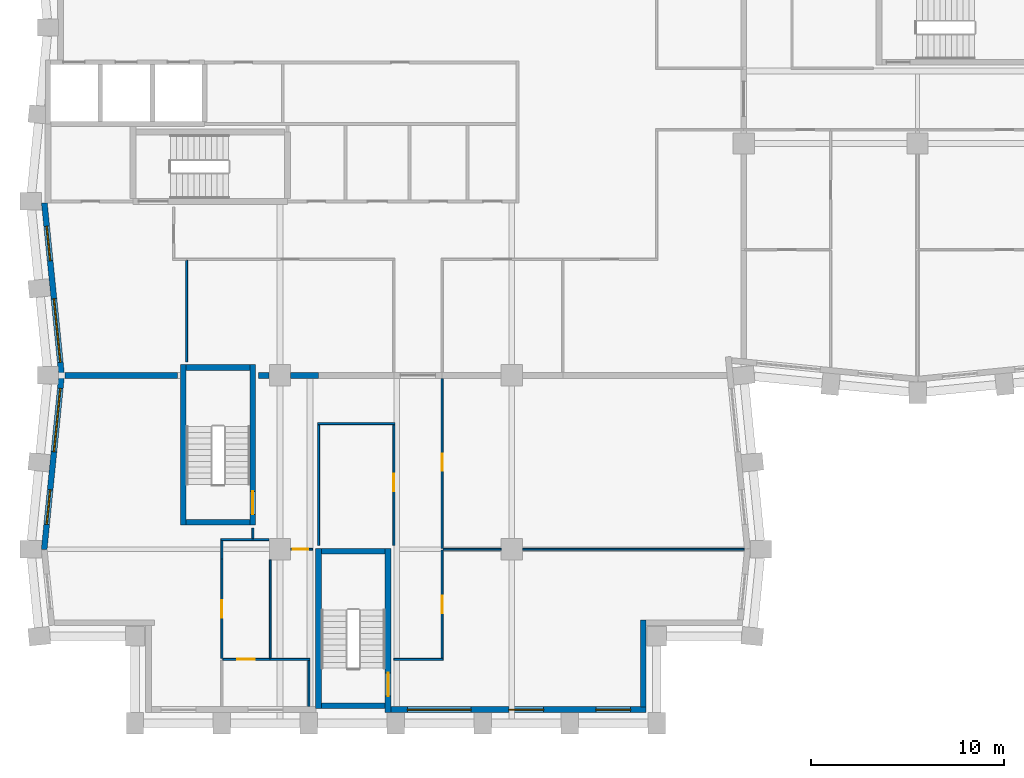
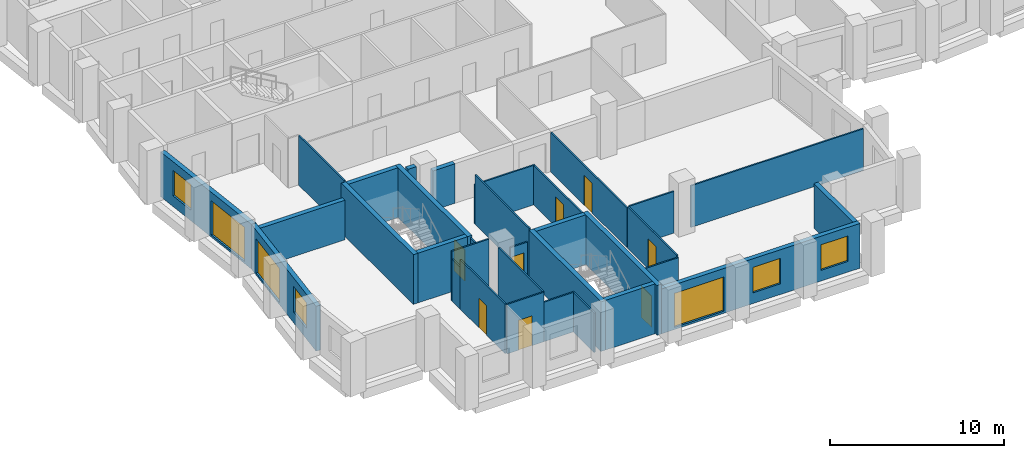
# One storey, part 3 of 10: 33 walls, 8 doors, 7 windows, 15 openings.
"""IFC4 building model written with IfcOpenShell, lengths in metres."""

from ifc_helpers import new_model, si_unit, direction, frame, frame_2d, origin, place, context, subcontext, project, spatial, rectangle, extrude, material, layer, layer_set, type_object, element, fill, save


model = new_model("IFC4")

# Units and contexts
model_context = context("Model", 3, precision=1e-05, world=origin(), true_north=direction((0.0, 1.0)))
body_context = subcontext(model_context, "Body", "Model", "MODEL_VIEW")
ifc_project = project(units=[si_unit("LENGTHUNIT", "METRE"), si_unit("AREAUNIT", "SQUARE_METRE"), si_unit("VOLUMEUNIT", "CUBIC_METRE"), si_unit("PLANEANGLEUNIT", "RADIAN"), si_unit("MASSUNIT", "GRAM", prefix="KILO")], contexts=[model_context])

# Site, building, storey
site_placement = place(None, origin())
site = spatial("IfcSite", under=ifc_project, at=site_placement, CompositionType="ELEMENT")
building_placement = place(site_placement, origin())
building = spatial("IfcBuilding", under=site, at=building_placement, Name="Brondeck Convention Tower", CompositionType="ELEMENT")
storey_placement = place(building_placement, frame((0.0, 0.0, 166.199951171875)))
storey = spatial("IfcBuildingStorey", under=building, at=storey_placement, Name="L40", CompositionType="ELEMENT", Elevation=166.199951171875)

# Walls
ifc_material_1 = material(Name="Concrete compartment wall C30/37", Category="concrete")
ifc_layer_1 = layer(ifc_material_1, 0.300048828125)
ifc_layer_set_1 = layer_set([ifc_layer_1], Name="Compartment wall 300")
wall_type_1 = type_object("IfcWallType", Name="Compartment wall 300", PredefinedType="PARTITIONING", material=ifc_layer_set_1)
wall_1_placement = place(storey_placement, frame((0.8740234375, 27.0, 0.0), z_axis=(0.0, 0.0, 1.0), x_axis=(1.0, 0.0, 0.0)))
element("IfcWall", 1, at=wall_1_placement, inside=storey, type_object=wall_type_1, Name="FLR-L40-W020", PredefinedType="PARTITIONING", context=body_context, shape_type="SweptSolid", body=[
    extrude(rectangle(XDim=5.825927734375, YDim=0.300048828125, at=frame_2d((2.9130859375, 0.0))), origin(), (0.0, 0.0, 1.0), 2.780029296875),
])
wall_2_placement = place(storey_placement, frame((10.89990234375, 27.0, 0.0), z_axis=(0.0, 0.0, 1.0), x_axis=(1.0, 0.0, 0.0)))
element("IfcWall", 2, at=wall_2_placement, inside=storey, type_object=wall_type_1, Name="FLR-L40-W021", PredefinedType="PARTITIONING", context=body_context, shape_type="SweptSolid", body=[
    extrude(rectangle(XDim=0.545166015625, YDim=0.300048828125, at=frame_2d((0.2724609375, 0.0))), origin(), (0.0, 0.0, 1.0), 3.47998046875),
])
wall_3_placement = place(storey_placement, frame((12.554931640625, 27.0, 0.0), z_axis=(0.0, 0.0, 1.0), x_axis=(1.0, 0.0, 0.0)))
element("IfcWall", 3, at=wall_3_placement, inside=storey, type_object=wall_type_1, Name="FLR-L40-W022", PredefinedType="PARTITIONING", context=body_context, shape_type="SweptSolid", body=[
    extrude(rectangle(XDim=1.445068359375, YDim=0.300048828125, at=frame_2d((0.72265625, 0.0))), origin(), (0.0, 0.0, 1.0), 2.780029296875),
])

# Wall, openings, windows
ifc_material_2 = material(Name="Precast concrete C50/60 bronze finish", Category="concrete")
ifc_layer_2 = layer(ifc_material_2, 0.070068359375, Name="Bronze precast facing")
ifc_material_3 = material(Name="Mineral wool")
ifc_layer_3 = layer(ifc_material_3, 0.159912109375, Name="Insulation")
ifc_material_4 = material(Name="Concrete C35/45", Category="concrete")
ifc_layer_4 = layer(ifc_material_4, 0.070068359375, Name="Backing")
ifc_layer_set_2 = layer_set([ifc_layer_2, ifc_layer_3, ifc_layer_4], Name="External infill wall, precast concrete C50/60 bronze facing")
wall_type_2 = type_object("IfcWallType", Name="External infill wall, precast concrete C50/60 bronze facing", PredefinedType="SOLIDWALL", material=ifc_layer_set_2)
wall_4_placement = place(storey_placement, frame((30.949951171875, 9.699951171875, 0.0), z_axis=(0.0, 0.0, 1.0), x_axis=(-1.0, 0.0, 0.0)))
wall_4 = element("IfcWall", 4, at=wall_4_placement, inside=storey, type_object=wall_type_2, Name="ENV-EW-L40-P1-B-S9-04", PredefinedType="SOLIDWALL", context=body_context, shape_type="SweptSolid", body=[
    extrude(rectangle(XDim=13.199951171875, YDim=0.300048828125, at=frame_2d((6.60009765625, 0.0))), origin(), (0.0, 0.0, 1.0), 3.150146484375),
])
opening_1_placement = place(wall_4_placement, frame((0.800048828125, 0.0, 0.75)))
opening_1 = element("IfcOpeningElement", 5, at=opening_1_placement, cuts=wall_4, Name="Opening W10", PredefinedType="OPENING", context=body_context, shape_type="SweptSolid", body=[
    extrude(rectangle(XDim=1.800048828125, YDim=1.800048828125, at=frame_2d((0.89990234375, 0.89990234375))), frame((0.0, 0.159912109375, 0.0), z_axis=(0.0, -1.0, 0.0), x_axis=(1.0, 0.0, 0.0)), (0.0, 0.0, 1.0), 0.320068359375),
])
opening_2_placement = place(wall_4_placement, frame((5.300048828125, 0.0, 0.75)))
opening_2 = element("IfcOpeningElement", 6, at=opening_2_placement, cuts=wall_4, Name="Opening W10", PredefinedType="OPENING", context=body_context, shape_type="SweptSolid", body=[
    extrude(rectangle(XDim=1.800048828125, YDim=1.800048828125, at=frame_2d((0.89990234375, 0.89990234375))), frame((0.0, 0.159912109375, 0.0), z_axis=(0.0, -1.0, 0.0), x_axis=(1.0, 0.0, 0.0)), (0.0, 0.0, 1.0), 0.320068359375),
])
opening_3_placement = place(wall_4_placement, frame((9.050048828125, 0.0, 0.14990234375)))
opening_3 = element("IfcOpeningElement", 7, at=opening_3_placement, cuts=wall_4, Name="Opening W9", PredefinedType="OPENING", context=body_context, shape_type="SweptSolid", body=[
    extrude(rectangle(XDim=3.300048828125, YDim=2.39990234375, at=frame_2d((1.64990234375, 1.199951171875))), frame((0.0, 0.159912109375, 0.0), z_axis=(0.0, -1.0, 0.0), x_axis=(1.0, 0.0, 0.0)), (0.0, 0.0, 1.0), 0.320068359375),
])
ifc_material_5 = material(Name="Bronze tinted double glazing", Category="glass")
window_type_1 = type_object("IfcWindowType", Name="Glazed flute window, bronze tinted", PartitioningType="SINGLE_PANEL", PredefinedType="WINDOW", material=ifc_material_5)
window_1_placement = place(opening_3_placement, origin())
window_1 = element("IfcWindow", 8, at=window_1_placement, inside=storey, type_object=window_type_1, Name="ENV-WN-L40-P1-B-S9-04", OverallHeight=2.39990234375, OverallWidth=3.300048828125, PartitioningType="SINGLE_PANEL", PredefinedType="WINDOW", context=body_context, shape_type="SweptSolid", body=[
    extrude(rectangle(XDim=3.300048828125, YDim=2.39990234375, at=frame_2d((1.64990234375, 1.199951171875))), frame((0.0, 0.030029296875, 0.0), z_axis=(0.0, -1.0, 0.0), x_axis=(1.0, 0.0, 0.0)), (0.0, 0.0, 1.0), 0.06005859375),
])
fill(opening_3, window_1)
window_type_2 = type_object("IfcWindowType", Name="Punched window, bronze tinted", PartitioningType="SINGLE_PANEL", PredefinedType="WINDOW", material=ifc_material_5)
window_2_placement = place(opening_1_placement, origin())
window_2 = element("IfcWindow", 9, at=window_2_placement, inside=storey, type_object=window_type_2, Name="ENV-WN-L40-P1-B-S9-06", OverallHeight=1.800048828125, OverallWidth=1.800048828125, PartitioningType="SINGLE_PANEL", PredefinedType="WINDOW", context=body_context, shape_type="SweptSolid", body=[
    extrude(rectangle(XDim=1.800048828125, YDim=1.800048828125, at=frame_2d((0.89990234375, 0.89990234375))), frame((0.0, 0.030029296875, 0.0), z_axis=(0.0, -1.0, 0.0), x_axis=(1.0, 0.0, 0.0)), (0.0, 0.0, 1.0), 0.06005859375),
])
fill(opening_1, window_2)
window_3_placement = place(opening_2_placement, origin())
window_3 = element("IfcWindow", 10, at=window_3_placement, inside=storey, type_object=window_type_2, Name="ENV-WN-L40-P1-B-S9-05", OverallHeight=1.800048828125, OverallWidth=1.800048828125, PartitioningType="SINGLE_PANEL", PredefinedType="WINDOW", context=body_context, shape_type="SweptSolid", body=[
    extrude(rectangle(XDim=1.800048828125, YDim=1.800048828125, at=frame_2d((0.89990234375, 0.89990234375))), frame((0.0, 0.030029296875, 0.0), z_axis=(0.0, -1.0, 0.0), x_axis=(1.0, 0.0, 0.0)), (0.0, 0.0, 1.0), 0.06005859375),
])
fill(opening_2, window_3)

# Wall
wall_5_placement = place(storey_placement, frame((30.800048828125, 14.35009765625, 0.0), z_axis=(0.0, 0.0, 1.0), x_axis=(0.0, -1.0, 0.0)))
element("IfcWall", 11, at=wall_5_placement, inside=storey, type_object=wall_type_2, Name="ENV-EW-L40-P1-NC-SEB9-01", PredefinedType="SOLIDWALL", context=body_context, shape_type="SweptSolid", body=[
    extrude(rectangle(XDim=4.502197265625, YDim=0.300048828125, at=frame_2d((2.2509765625, 0.0))), origin(), (0.0, 0.0, 1.0), 3.150146484375),
])

# Wall, openings, windows
wall_6_placement = place(storey_placement, frame((0.705078125, 26.985107421875, 0.0), z_axis=(0.0, 0.0, 1.0), x_axis=(-0.099533329093, 0.995034228758, 0.0)))
wall_6 = element("IfcWall", 12, at=wall_6_placement, inside=storey, type_object=wall_type_2, Name="ENV-EW-L40-P1-B-W-06", PredefinedType="SOLIDWALL", context=body_context, shape_type="SweptSolid", body=[
    extrude(rectangle(XDim=8.97998046875, YDim=0.300048828125, at=frame_2d((4.489990234375, 0.0))), origin(), (0.0, 0.0, 1.0), 3.150146484375),
])
opening_4_placement = place(wall_6_placement, frame((0.6962890625, 0.0, 0.14990234375)))
opening_4 = element("IfcOpeningElement", 13, at=opening_4_placement, cuts=wall_6, Name="Opening W9", PredefinedType="OPENING", context=body_context, shape_type="SweptSolid", body=[
    extrude(rectangle(XDim=3.300048828125, YDim=2.39990234375, at=frame_2d((1.64990234375, 1.199951171875))), frame((0.0, 0.159912109375, 0.0), z_axis=(0.0, -1.0, 0.0), x_axis=(1.0, 0.0, 0.0)), (0.0, 0.0, 1.0), 0.320068359375),
])
opening_5_placement = place(wall_6_placement, frame((5.968505859375, 0.0, 0.75)))
opening_5 = element("IfcOpeningElement", 14, at=opening_5_placement, cuts=wall_6, Name="Opening W10", PredefinedType="OPENING", context=body_context, shape_type="SweptSolid", body=[
    extrude(rectangle(XDim=1.800048828125, YDim=1.800048828125, at=frame_2d((0.89990234375, 0.89990234375))), frame((0.0, 0.159912109375, 0.0), z_axis=(0.0, -1.0, 0.0), x_axis=(1.0, 0.0, 0.0)), (0.0, 0.0, 1.0), 0.320068359375),
])
window_4_placement = place(opening_4_placement, origin())
window_4 = element("IfcWindow", 15, at=window_4_placement, inside=storey, type_object=window_type_1, Name="ENV-WN-L40-P1-B-W-07", OverallHeight=2.39990234375, OverallWidth=3.300048828125, PartitioningType="SINGLE_PANEL", PredefinedType="WINDOW", context=body_context, shape_type="SweptSolid", body=[
    extrude(rectangle(XDim=3.300048828125, YDim=2.39990234375, at=frame_2d((1.64990234375, 1.199951171875))), frame((0.0, 0.030029296875, 0.0), z_axis=(0.0, -1.0, 0.0), x_axis=(1.0, 0.0, 0.0)), (0.0, 0.0, 1.0), 0.06005859375),
])
fill(opening_4, window_4)
window_5_placement = place(opening_5_placement, origin())
window_5 = element("IfcWindow", 16, at=window_5_placement, inside=storey, type_object=window_type_2, Name="ENV-WN-L40-P1-B-W-06", OverallHeight=1.800048828125, OverallWidth=1.800048828125, PartitioningType="SINGLE_PANEL", PredefinedType="WINDOW", context=body_context, shape_type="SweptSolid", body=[
    extrude(rectangle(XDim=1.800048828125, YDim=1.800048828125, at=frame_2d((0.89990234375, 0.89990234375))), frame((0.0, 0.030029296875, 0.0), z_axis=(0.0, -1.0, 0.0), x_axis=(1.0, 0.0, 0.0)), (0.0, 0.0, 1.0), 0.06005859375),
])
fill(opening_5, window_5)

wall_7_placement = place(storey_placement, frame((-0.197998046875, 17.985107421875, 0.0), z_axis=(0.0, 0.0, 1.0), x_axis=(0.099495688264, 0.995037993253, 0.0)))
wall_7 = element("IfcWall", 17, at=wall_7_placement, inside=storey, type_object=wall_type_2, Name="ENV-EW-L40-P1-B-W-08", PredefinedType="SOLIDWALL", context=body_context, shape_type="SweptSolid", body=[
    extrude(rectangle(XDim=9.030029296875, YDim=0.300048828125, at=frame_2d((4.51513671875, 0.0))), origin(), (0.0, 0.0, 1.0), 3.150146484375),
])
opening_6_placement = place(wall_7_placement, frame((1.30615234375, 0.0, 0.75)))
opening_6 = element("IfcOpeningElement", 18, at=opening_6_placement, cuts=wall_7, Name="Opening W10", PredefinedType="OPENING", context=body_context, shape_type="SweptSolid", body=[
    extrude(rectangle(XDim=1.800048828125, YDim=1.800048828125, at=frame_2d((0.89990234375, 0.89990234375))), frame((0.0, 0.159912109375, 0.0), z_axis=(0.0, -1.0, 0.0), x_axis=(1.0, 0.0, 0.0)), (0.0, 0.0, 1.0), 0.320068359375),
])
opening_7_placement = place(wall_7_placement, frame((5.07861328125, 0.0, 0.14990234375)))
opening_7 = element("IfcOpeningElement", 19, at=opening_7_placement, cuts=wall_7, Name="Opening W9", PredefinedType="OPENING", context=body_context, shape_type="SweptSolid", body=[
    extrude(rectangle(XDim=3.300048828125, YDim=2.39990234375, at=frame_2d((1.64990234375, 1.199951171875))), frame((0.0, 0.159912109375, 0.0), z_axis=(0.0, -1.0, 0.0), x_axis=(1.0, 0.0, 0.0)), (0.0, 0.0, 1.0), 0.320068359375),
])
window_6_placement = place(opening_7_placement, origin())
window_6 = element("IfcWindow", 20, at=window_6_placement, inside=storey, type_object=window_type_1, Name="ENV-WN-L40-P1-B-W-08", OverallHeight=2.39990234375, OverallWidth=3.300048828125, PartitioningType="SINGLE_PANEL", PredefinedType="WINDOW", context=body_context, shape_type="SweptSolid", body=[
    extrude(rectangle(XDim=3.300048828125, YDim=2.39990234375, at=frame_2d((1.64990234375, 1.199951171875))), frame((0.0, 0.030029296875, 0.0), z_axis=(0.0, -1.0, 0.0), x_axis=(1.0, 0.0, 0.0)), (0.0, 0.0, 1.0), 0.06005859375),
])
fill(opening_7, window_6)
window_7_placement = place(opening_6_placement, origin())
window_7 = element("IfcWindow", 21, at=window_7_placement, inside=storey, type_object=window_type_2, Name="ENV-WN-L40-P1-B-W-09", OverallHeight=1.800048828125, OverallWidth=1.800048828125, PartitioningType="SINGLE_PANEL", PredefinedType="WINDOW", context=body_context, shape_type="SweptSolid", body=[
    extrude(rectangle(XDim=1.800048828125, YDim=1.800048828125, at=frame_2d((0.89990234375, 0.89990234375))), frame((0.0, 0.030029296875, 0.0), z_axis=(0.0, -1.0, 0.0), x_axis=(1.0, 0.0, 0.0)), (0.0, 0.0, 1.0), 0.06005859375),
])
fill(opening_6, window_7)

# Wall
ifc_material_6 = material(Name="Gypsum board partition on steel studs", Category="steel")
ifc_layer_5 = layer(ifc_material_6, 0.10009765625)
ifc_layer_set_3 = layer_set([ifc_layer_5], Name="Room partition 100")
wall_type_3 = type_object("IfcWallType", Name="Room partition 100", PredefinedType="PARTITIONING", material=ifc_layer_set_3)
wall_8_placement = place(storey_placement, frame((13.5, 12.25, 0.0), z_axis=(0.0, 0.0, 1.0), x_axis=(0.0, -1.0, 0.0)))
element("IfcWall", 22, at=wall_8_placement, inside=storey, type_object=wall_type_3, Name="FLR-L40-W003", PredefinedType="PARTITIONING", context=body_context, shape_type="SweptSolid", body=[
    extrude(rectangle(XDim=2.3798828125, YDim=0.10009765625, at=frame_2d((1.18994140625, 0.0))), origin(), (0.0, 0.0, 1.0), 2.780029296875),
])

# Wall, opening, door
wall_9_placement = place(storey_placement, frame((11.5, 12.300048828125, 0.0), z_axis=(0.0, 0.0, 1.0), x_axis=(-1.0, 0.0, 0.0)))
wall_9 = element("IfcWall", 23, at=wall_9_placement, inside=storey, type_object=wall_type_3, Name="FLR-L40-W004", PredefinedType="PARTITIONING", context=body_context, shape_type="SweptSolid", body=[
    extrude(rectangle(XDim=2.449951171875, YDim=0.10009765625, at=frame_2d((1.22509765625, 0.0))), origin(), (0.0, 0.0, 1.0), 3.47998046875),
])
opening_8_placement = place(wall_9_placement, frame((0.800048828125, 0.0, 0.0)))
opening_8 = element("IfcOpeningElement", 24, at=opening_8_placement, cuts=wall_9, Name="Opening OF-H-001", PredefinedType="OPENING", context=body_context, shape_type="SweptSolid", body=[
    extrude(rectangle(XDim=0.89990234375, YDim=2.10009765625, at=frame_2d((0.449951171875, 1.050048828125))), frame((0.0, 0.06005859375, 0.0), z_axis=(0.0, -1.0, 0.0), x_axis=(1.0, 0.0, 0.0)), (0.0, 0.0, 1.0), 0.1201171875),
])
ifc_material_7 = material(Name="Solid timber door leaf", Category="wood")
door_type_1 = type_object("IfcDoorType", Name="Single door 900", OperationType="NOTDEFINED", PredefinedType="DOOR", material=ifc_material_7)
door_1_placement = place(opening_8_placement, origin())
door_1 = element("IfcDoor", 25, at=door_1_placement, inside=storey, type_object=door_type_1, Name="Door OF-H-001", OperationType="SINGLE_SWING_RIGHT", OverallHeight=2.10009765625, OverallWidth=0.89990234375, PredefinedType="DOOR", context=body_context, shape_type="SweptSolid", body=[
    extrude(rectangle(XDim=0.89990234375, YDim=2.10009765625, at=frame_2d((0.449951171875, 1.050048828125))), frame((0.0, 0.02490234375, 0.0), z_axis=(0.0, -1.0, 0.0), x_axis=(1.0, 0.0, 0.0)), (0.0, 0.0, 1.0), 0.050048828125),
])
fill(opening_8, door_1)

# Walls
wall_10_placement = place(storey_placement, frame((11.5, 12.300048828125, 0.0), z_axis=(0.0, 0.0, 1.0), x_axis=(1.0, 0.0, 0.0)))
element("IfcWall", 26, at=wall_10_placement, inside=storey, type_object=wall_type_3, Name="FLR-L40-W005", PredefinedType="PARTITIONING", context=body_context, shape_type="SweptSolid", body=[
    extrude(rectangle(XDim=2.050048828125, YDim=0.10009765625, at=frame_2d((1.02490234375, 0.0))), origin(), (0.0, 0.0, 1.0), 2.780029296875),
])
wall_11_placement = place(storey_placement, frame((20.449951171875, 12.300048828125, 0.0), z_axis=(0.0, 0.0, 1.0), x_axis=(-1.0, 0.0, 0.0)))
element("IfcWall", 27, at=wall_11_placement, inside=storey, type_object=wall_type_3, Name="FLR-L40-W006", PredefinedType="PARTITIONING", context=body_context, shape_type="SweptSolid", body=[
    extrude(rectangle(XDim=2.550048828125, YDim=0.10009765625, at=frame_2d((1.27490234375, 0.0))), origin(), (0.0, 0.0, 1.0), 2.780029296875),
])

# Wall, opening, door
wall_12_placement = place(storey_placement, frame((9.0, 12.35009765625, 0.0), z_axis=(0.0, 0.0, 1.0), x_axis=(0.0, 1.0, 0.0)))
wall_12 = element("IfcWall", 28, at=wall_12_placement, inside=storey, type_object=wall_type_3, Name="FLR-L40-W007", PredefinedType="PARTITIONING", context=body_context, shape_type="SweptSolid", body=[
    extrude(rectangle(XDim=5.14990234375, YDim=0.10009765625, at=frame_2d((2.574951171875, 0.0))), origin(), (0.0, 0.0, 1.0), 3.47998046875),
])
opening_9_placement = place(wall_12_placement, frame((2.10009765625, 0.0, 0.0)))
opening_9 = element("IfcOpeningElement", 29, at=opening_9_placement, cuts=wall_12, Name="Opening OF-H-014", PredefinedType="OPENING", context=body_context, shape_type="SweptSolid", body=[
    extrude(rectangle(XDim=0.89990234375, YDim=2.10009765625, at=frame_2d((0.449951171875, 1.050048828125))), frame((0.0, 0.06005859375, 0.0), z_axis=(0.0, -1.0, 0.0), x_axis=(1.0, 0.0, 0.0)), (0.0, 0.0, 1.0), 0.1201171875),
])
door_2_placement = place(opening_9_placement, origin())
door_2 = element("IfcDoor", 30, at=door_2_placement, inside=storey, type_object=door_type_1, Name="Door OF-H-014", OperationType="SINGLE_SWING_RIGHT", OverallHeight=2.10009765625, OverallWidth=0.89990234375, PredefinedType="DOOR", context=body_context, shape_type="SweptSolid", body=[
    extrude(rectangle(XDim=0.89990234375, YDim=2.10009765625, at=frame_2d((0.449951171875, 1.050048828125))), frame((0.0, 0.02490234375, 0.0), z_axis=(0.0, -1.0, 0.0), x_axis=(1.0, 0.0, 0.0)), (0.0, 0.0, 1.0), 0.050048828125),
])
fill(opening_9, door_2)

# Walls
wall_13_placement = place(storey_placement, frame((11.5, 17.445068359375, 0.0), z_axis=(0.0, 0.0, 1.0), x_axis=(0.0, -1.0, 0.0)))
element("IfcWall", 31, at=wall_13_placement, inside=storey, type_object=wall_type_3, Name="FLR-L40-W008", PredefinedType="PARTITIONING", context=body_context, shape_type="SweptSolid", body=[
    extrude(rectangle(XDim=5.094970703125, YDim=0.10009765625, at=frame_2d((2.54736328125, 0.0))), origin(), (0.0, 0.0, 1.0), 3.47998046875),
])
wall_14_placement = place(storey_placement, frame((9.0, 17.5, 0.0), z_axis=(0.0, 0.0, 1.0), x_axis=(0.0, 1.0, 0.0)))
element("IfcWall", 32, at=wall_14_placement, inside=storey, type_object=wall_type_3, Name="FLR-L40-W009", PredefinedType="PARTITIONING", context=body_context, shape_type="SweptSolid", body=[
    extrude(rectangle(XDim=0.949951171875, YDim=0.10009765625, at=frame_2d((0.47509765625, 0.0))), origin(), (0.0, 0.0, 1.0), 2.929931640625),
])

# Wall, opening, door
wall_15_placement = place(storey_placement, frame((20.39990234375, 17.949951171875, 0.0), z_axis=(0.0, 0.0, 1.0), x_axis=(0.0, -1.0, 0.0)))
wall_15 = element("IfcWall", 33, at=wall_15_placement, inside=storey, type_object=wall_type_3, Name="FLR-L40-W010", PredefinedType="PARTITIONING", context=body_context, shape_type="SweptSolid", body=[
    extrude(rectangle(XDim=5.599853515625, YDim=0.10009765625, at=frame_2d((2.7998046875, 0.0))), origin(), (0.0, 0.0, 1.0), 2.929931640625),
])
opening_10_placement = place(wall_15_placement, frame((2.35009765625, 0.0, 0.0)))
opening_10 = element("IfcOpeningElement", 34, at=opening_10_placement, cuts=wall_15, Name="Opening OF-H-013", PredefinedType="OPENING", context=body_context, shape_type="SweptSolid", body=[
    extrude(rectangle(XDim=0.89990234375, YDim=2.10009765625, at=frame_2d((0.449951171875, 1.050048828125))), frame((0.0, 0.06005859375, 0.0), z_axis=(0.0, -1.0, 0.0), x_axis=(1.0, 0.0, 0.0)), (0.0, 0.0, 1.0), 0.1201171875),
])
door_3_placement = place(opening_10_placement, origin())
door_3 = element("IfcDoor", 35, at=door_3_placement, inside=storey, type_object=door_type_1, Name="Door OF-H-013", OperationType="SINGLE_SWING_LEFT", OverallHeight=2.10009765625, OverallWidth=0.89990234375, PredefinedType="DOOR", context=body_context, shape_type="SweptSolid", body=[
    extrude(rectangle(XDim=0.89990234375, YDim=2.10009765625, at=frame_2d((0.449951171875, 1.050048828125))), frame((0.0, 0.02490234375, 0.0), z_axis=(0.0, -1.0, 0.0), x_axis=(1.0, 0.0, 0.0)), (0.0, 0.0, 1.0), 0.050048828125),
])
fill(opening_10, door_3)

wall_16_placement = place(storey_placement, frame((13.699951171875, 18.0, 0.0), z_axis=(0.0, 0.0, 1.0), x_axis=(-1.0, 0.0, 0.0)))
wall_16 = element("IfcWall", 36, at=wall_16_placement, inside=storey, type_object=wall_type_3, Name="FLR-L40-W011", PredefinedType="PARTITIONING", context=body_context, shape_type="SweptSolid", body=[
    extrude(rectangle(XDim=1.14501953125, YDim=0.10009765625, at=frame_2d((0.572509765625, 0.0))), origin(), (0.0, 0.0, 1.0), 2.780029296875),
])
opening_11_placement = place(wall_16_placement, frame((0.2451171875, 0.0, 0.0)))
opening_11 = element("IfcOpeningElement", 37, at=opening_11_placement, cuts=wall_16, Name="Opening OF-H-004", PredefinedType="OPENING", context=body_context, shape_type="SweptSolid", body=[
    extrude(rectangle(XDim=0.800048828125, YDim=2.10009765625, at=frame_2d((0.39990234375, 1.050048828125))), frame((0.0, 0.06005859375, 0.0), z_axis=(0.0, -1.0, 0.0), x_axis=(1.0, 0.0, 0.0)), (0.0, 0.0, 1.0), 0.1201171875),
])
ifc_material_8 = material(Name="Steel service door leaf", Category="steel")
door_type_2 = type_object("IfcDoorType", Name="Service door 800", OperationType="NOTDEFINED", PredefinedType="DOOR", material=ifc_material_8)
door_4_placement = place(opening_11_placement, origin())
door_4 = element("IfcDoor", 38, at=door_4_placement, inside=storey, type_object=door_type_2, Name="Door OF-H-004", OperationType="SINGLE_SWING_LEFT", OverallHeight=2.10009765625, OverallWidth=0.800048828125, PredefinedType="DOOR", context=body_context, shape_type="SweptSolid", body=[
    extrude(rectangle(XDim=0.800048828125, YDim=2.10009765625, at=frame_2d((0.39990234375, 1.050048828125))), frame((0.0, 0.02490234375, 0.0), z_axis=(0.0, -1.0, 0.0), x_axis=(1.0, 0.0, 0.0)), (0.0, 0.0, 1.0), 0.050048828125),
])
fill(opening_11, door_4)

# Walls
wall_17_placement = place(storey_placement, frame((23.445068359375, 18.0, 0.0), z_axis=(0.0, 0.0, 1.0), x_axis=(-1.0, 0.0, 0.0)))
element("IfcWall", 39, at=wall_17_placement, inside=storey, type_object=wall_type_3, Name="FLR-L40-W012", PredefinedType="PARTITIONING", context=body_context, shape_type="SweptSolid", body=[
    extrude(rectangle(XDim=2.9951171875, YDim=0.10009765625, at=frame_2d((1.49755859375, 0.0))), origin(), (0.0, 0.0, 1.0), 2.929931640625),
])
wall_18_placement = place(storey_placement, frame((36.02587890625, 18.0, 0.0), z_axis=(0.0, 0.0, 1.0), x_axis=(-1.0, 0.0, 0.0)))
element("IfcWall", 40, at=wall_18_placement, inside=storey, type_object=wall_type_3, Name="FLR-L40-W013", PredefinedType="PARTITIONING", context=body_context, shape_type="SweptSolid", body=[
    extrude(rectangle(XDim=11.470947265625, YDim=0.10009765625, at=frame_2d((5.7353515625, 0.0))), origin(), (0.0, 0.0, 1.0), 2.929931640625),
])

# Wall, opening, door
wall_19_placement = place(storey_placement, frame((17.89990234375, 18.199951171875, 0.0), z_axis=(0.0, 0.0, 1.0), x_axis=(0.0, 1.0, 0.0)))
wall_19 = element("IfcWall", 41, at=wall_19_placement, inside=storey, type_object=wall_type_3, Name="FLR-L40-W014", PredefinedType="PARTITIONING", context=body_context, shape_type="SweptSolid", body=[
    extrude(rectangle(XDim=6.25, YDim=0.10009765625, at=frame_2d((3.125, 0.0))), origin(), (0.0, 0.0, 1.0), 2.780029296875),
])
opening_12_placement = place(wall_19_placement, frame((2.800048828125, 0.0, 0.0)))
opening_12 = element("IfcOpeningElement", 42, at=opening_12_placement, cuts=wall_19, Name="Opening OF-H-003", PredefinedType="OPENING", context=body_context, shape_type="SweptSolid", body=[
    extrude(rectangle(XDim=0.89990234375, YDim=2.10009765625, at=frame_2d((0.449951171875, 1.050048828125))), frame((0.0, 0.06005859375, 0.0), z_axis=(0.0, -1.0, 0.0), x_axis=(1.0, 0.0, 0.0)), (0.0, 0.0, 1.0), 0.1201171875),
])
door_5_placement = place(opening_12_placement, origin())
door_5 = element("IfcDoor", 43, at=door_5_placement, inside=storey, type_object=door_type_1, Name="Door OF-H-003", OperationType="SINGLE_SWING_LEFT", OverallHeight=2.10009765625, OverallWidth=0.89990234375, PredefinedType="DOOR", context=body_context, shape_type="SweptSolid", body=[
    extrude(rectangle(XDim=0.89990234375, YDim=2.10009765625, at=frame_2d((0.449951171875, 1.050048828125))), frame((0.0, 0.02490234375, 0.0), z_axis=(0.0, -1.0, 0.0), x_axis=(1.0, 0.0, 0.0)), (0.0, 0.0, 1.0), 0.050048828125),
])
fill(opening_12, door_5)

# Walls
wall_20_placement = place(storey_placement, frame((8.949951171875, 18.5, 0.0), z_axis=(0.0, 0.0, 1.0), x_axis=(1.0, 0.0, 0.0)))
element("IfcWall", 44, at=wall_20_placement, inside=storey, type_object=wall_type_3, Name="FLR-L40-W015", PredefinedType="PARTITIONING", context=body_context, shape_type="SweptSolid", body=[
    extrude(rectangle(XDim=2.47998046875, YDim=0.10009765625, at=frame_2d((1.239990234375, 0.0))), origin(), (0.0, 0.0, 1.0), 3.47998046875),
])
wall_21_placement = place(storey_placement, frame((10.60009765625, 18.550048828125, 0.0), z_axis=(0.0, 0.0, 1.0), x_axis=(0.0, 1.0, 0.0)))
element("IfcWall", 45, at=wall_21_placement, inside=storey, type_object=wall_type_3, Name="FLR-L40-W016", PredefinedType="PARTITIONING", context=body_context, shape_type="SweptSolid", body=[
    extrude(rectangle(XDim=0.550048828125, YDim=0.10009765625, at=frame_2d((0.27490234375, 0.0))), origin(), (0.0, 0.0, 1.0), 3.47998046875),
])
wall_22_placement = place(storey_placement, frame((14.0, 24.449951171875, 0.0), z_axis=(0.0, 0.0, 1.0), x_axis=(0.0, -1.0, 0.0)))
element("IfcWall", 46, at=wall_22_placement, inside=storey, type_object=wall_type_3, Name="FLR-L40-W017", PredefinedType="PARTITIONING", context=body_context, shape_type="SweptSolid", body=[
    extrude(rectangle(XDim=6.25, YDim=0.10009765625, at=frame_2d((3.125, 0.0))), origin(), (0.0, 0.0, 1.0), 3.47998046875),
])
wall_23_placement = place(storey_placement, frame((17.949951171875, 24.5, 0.0), z_axis=(0.0, 0.0, 1.0), x_axis=(-1.0, 0.0, 0.0)))
element("IfcWall", 47, at=wall_23_placement, inside=storey, type_object=wall_type_3, Name="FLR-L40-W018", PredefinedType="PARTITIONING", context=body_context, shape_type="SweptSolid", body=[
    extrude(rectangle(XDim=4.0, YDim=0.10009765625, at=frame_2d((2.0, 0.0))), origin(), (0.0, 0.0, 1.0), 2.780029296875),
])

# Wall, opening, door
wall_24_placement = place(storey_placement, frame((20.39990234375, 26.830078125, 0.0), z_axis=(0.0, 0.0, 1.0), x_axis=(0.0, -1.0, 0.0)))
wall_24 = element("IfcWall", 48, at=wall_24_placement, inside=storey, type_object=wall_type_3, Name="FLR-L40-W019", PredefinedType="PARTITIONING", context=body_context, shape_type="SweptSolid", body=[
    extrude(rectangle(XDim=8.780029296875, YDim=0.10009765625, at=frame_2d((4.39013671875, 0.0))), origin(), (0.0, 0.0, 1.0), 2.780029296875),
])
opening_13_placement = place(wall_24_placement, frame((3.8798828125, 0.0, 0.0)))
opening_13 = element("IfcOpeningElement", 49, at=opening_13_placement, cuts=wall_24, Name="Opening OF-H-012", PredefinedType="OPENING", context=body_context, shape_type="SweptSolid", body=[
    extrude(rectangle(XDim=0.89990234375, YDim=2.10009765625, at=frame_2d((0.449951171875, 1.050048828125))), frame((0.0, 0.06005859375, 0.0), z_axis=(0.0, -1.0, 0.0), x_axis=(1.0, 0.0, 0.0)), (0.0, 0.0, 1.0), 0.1201171875),
])
door_6_placement = place(opening_13_placement, origin())
door_6 = element("IfcDoor", 50, at=door_6_placement, inside=storey, type_object=door_type_1, Name="Door OF-H-012", OperationType="SINGLE_SWING_LEFT", OverallHeight=2.10009765625, OverallWidth=0.89990234375, PredefinedType="DOOR", context=body_context, shape_type="SweptSolid", body=[
    extrude(rectangle(XDim=0.89990234375, YDim=2.10009765625, at=frame_2d((0.449951171875, 1.050048828125))), frame((0.0, 0.02490234375, 0.0), z_axis=(0.0, -1.0, 0.0), x_axis=(1.0, 0.0, 0.0)), (0.0, 0.0, 1.0), 0.050048828125),
])
fill(opening_13, door_6)

# Walls
wall_25_placement = place(storey_placement, frame((7.172119140625, 32.949951171875, 0.0), z_axis=(0.0, 0.0, 1.0), x_axis=(0.0, -1.0, 0.0)))
element("IfcWall", 51, at=wall_25_placement, inside=storey, type_object=wall_type_3, Name="FLR-L40-W031", PredefinedType="PARTITIONING", context=body_context, shape_type="SweptSolid", body=[
    extrude(rectangle(XDim=5.25, YDim=0.10009765625, at=frame_2d((2.625, 0.0))), origin(), (0.0, 0.0, 1.0), 3.47998046875),
])
ifc_material_9 = material(Name="Concrete C70/85", Category="concrete")
ifc_layer_6 = layer(ifc_material_9, 0.300048828125)
ifc_layer_set_4 = layer_set([ifc_layer_6], Name="Stair enclosure wall 300 Concrete C70/85")
wall_type_4 = type_object("IfcWallType", Name="Stair enclosure wall 300 Concrete C70/85", PredefinedType="SHEAR", material=ifc_layer_set_4)
for number, where, z_axis, x_axis, name in (
    (52, (14.14990234375, 9.89990234375, 0.0), (0.0, 0.0, 1.0), (1.0, 0.0, 0.0), "L40 core wall"),
    (53, (14.14990234375, 17.89990234375, 0.0), (0.0, 0.0, 1.0), (1.0, 0.0, 0.0), "L40 core wall"),
    (54, (7.14990234375, 19.39990234375, 0.0), (0.0, 0.0, 1.0), (1.0, 0.0, 0.0), "L40 core wall"),
    (55, (7.14990234375, 27.39990234375, 0.0), (0.0, 0.0, 1.0), (1.0, 0.0, 0.0), "L40 core wall"),
):
    element("IfcWall", number, at=place(storey_placement, frame(where, z_axis=z_axis, x_axis=x_axis)), inside=storey, type_object=wall_type_4, Name=name, PredefinedType="SHEAR", context=body_context, shape_type="SweptSolid", body=[
        extrude(rectangle(XDim=3.300048828125, YDim=0.300048828125, at=frame_2d((1.64990234375, 0.0))), origin(), (0.0, 0.0, 1.0), 3.5),
    ])
wall_26_placement = place(storey_placement, frame((7.0, 19.25, 0.0), z_axis=(0.0, 0.0, 1.0), x_axis=(0.0, 1.0, 0.0)))
element("IfcWall", 56, at=wall_26_placement, inside=storey, type_object=wall_type_4, Name="L40 core wall", PredefinedType="SHEAR", context=body_context, shape_type="SweptSolid", body=[
    extrude(rectangle(XDim=8.300048828125, YDim=0.300048828125, at=frame_2d((4.14990234375, 0.0))), origin(), (0.0, 0.0, 1.0), 3.5),
])

# Wall, opening, door
wall_27_placement = place(storey_placement, frame((10.60009765625, 19.25, 0.0), z_axis=(0.0, 0.0, 1.0), x_axis=(0.0, 1.0, 0.0)))
wall_27 = element("IfcWall", 57, at=wall_27_placement, inside=storey, type_object=wall_type_4, Name="L40 core wall", PredefinedType="SHEAR", context=body_context, shape_type="SweptSolid", body=[
    extrude(rectangle(XDim=8.300048828125, YDim=0.300048828125, at=frame_2d((4.14990234375, 0.0))), origin(), (0.0, 0.0, 1.0), 3.5),
])
opening_14_placement = place(wall_27_placement, frame((0.550048828125, 0.0, 0.0)))
opening_14 = element("IfcOpeningElement", 58, at=opening_14_placement, cuts=wall_27, Name="Opening C23-19", PredefinedType="OPENING", context=body_context, shape_type="SweptSolid", body=[
    extrude(rectangle(XDim=1.199951171875, YDim=2.199951171875, at=frame_2d((0.60009765625, 1.10009765625))), frame((0.0, 0.159912109375, 0.0), z_axis=(0.0, -1.0, 0.0), x_axis=(1.0, 0.0, 0.0)), (0.0, 0.0, 1.0), 0.320068359375),
])
ifc_material_10 = material(Name="Steel fire door", Category="steel")
door_type_3 = type_object("IfcDoorType", Name="Stair door 1200x2200 EI 90", OperationType="NOTDEFINED", PredefinedType="DOOR", material=ifc_material_10)
door_7_placement = place(opening_14_placement, origin())
door_7 = element("IfcDoor", 59, at=door_7_placement, inside=storey, type_object=door_type_3, Name="L40 Stair door ST-BE", OperationType="SINGLE_SWING_RIGHT", OverallHeight=2.199951171875, OverallWidth=1.199951171875, PredefinedType="DOOR", context=body_context, shape_type="SweptSolid", body=[
    extrude(rectangle(XDim=1.199951171875, YDim=2.199951171875, at=frame_2d((0.60009765625, 1.10009765625))), frame((0.0, 0.02490234375, 0.0), z_axis=(0.0, -1.0, 0.0), x_axis=(1.0, 0.0, 0.0)), (0.0, 0.0, 1.0), 0.050048828125),
])
fill(opening_14, door_7)

# Wall
wall_28_placement = place(storey_placement, frame((14.0, 9.75, 0.0), z_axis=(0.0, 0.0, 1.0), x_axis=(0.0, 1.0, 0.0)))
element("IfcWall", 60, at=wall_28_placement, inside=storey, type_object=wall_type_4, Name="L40 core wall", PredefinedType="SHEAR", context=body_context, shape_type="SweptSolid", body=[
    extrude(rectangle(XDim=8.300048828125, YDim=0.300048828125, at=frame_2d((4.14990234375, 0.0))), origin(), (0.0, 0.0, 1.0), 3.5),
])

# Wall, opening, door
wall_29_placement = place(storey_placement, frame((17.60009765625, 9.550048828125, 0.0), z_axis=(0.0, 0.0, 1.0), x_axis=(0.0, 1.0, 0.0)))
wall_29 = element("IfcWall", 61, at=wall_29_placement, inside=storey, type_object=wall_type_4, Name="L40 core wall", PredefinedType="SHEAR", context=body_context, shape_type="SweptSolid", body=[
    extrude(rectangle(XDim=8.5, YDim=0.300048828125, at=frame_2d((4.25, 0.0))), origin(), (0.0, 0.0, 1.0), 3.5),
])
opening_15_placement = place(wall_29_placement, frame((0.85009765625, 0.0, 0.0)))
opening_15 = element("IfcOpeningElement", 62, at=opening_15_placement, cuts=wall_29, Name="Opening C23-20", PredefinedType="OPENING", context=body_context, shape_type="SweptSolid", body=[
    extrude(rectangle(XDim=1.199951171875, YDim=2.199951171875, at=frame_2d((0.60009765625, 1.10009765625))), frame((0.0, 0.159912109375, 0.0), z_axis=(0.0, -1.0, 0.0), x_axis=(1.0, 0.0, 0.0)), (0.0, 0.0, 1.0), 0.320068359375),
])
door_8_placement = place(opening_15_placement, origin())
door_8 = element("IfcDoor", 63, at=door_8_placement, inside=storey, type_object=door_type_3, Name="L40 Stair door ST-BF", OperationType="SINGLE_SWING_LEFT", OverallHeight=2.199951171875, OverallWidth=1.199951171875, PredefinedType="DOOR", context=body_context, shape_type="SweptSolid", body=[
    extrude(rectangle(XDim=1.199951171875, YDim=2.199951171875, at=frame_2d((0.60009765625, 1.10009765625))), frame((0.0, 0.02490234375, 0.0), z_axis=(0.0, -1.0, 0.0), x_axis=(1.0, 0.0, 0.0)), (0.0, 0.0, 1.0), 0.050048828125),
])
fill(opening_15, door_8)

save(model, "model.ifc")
